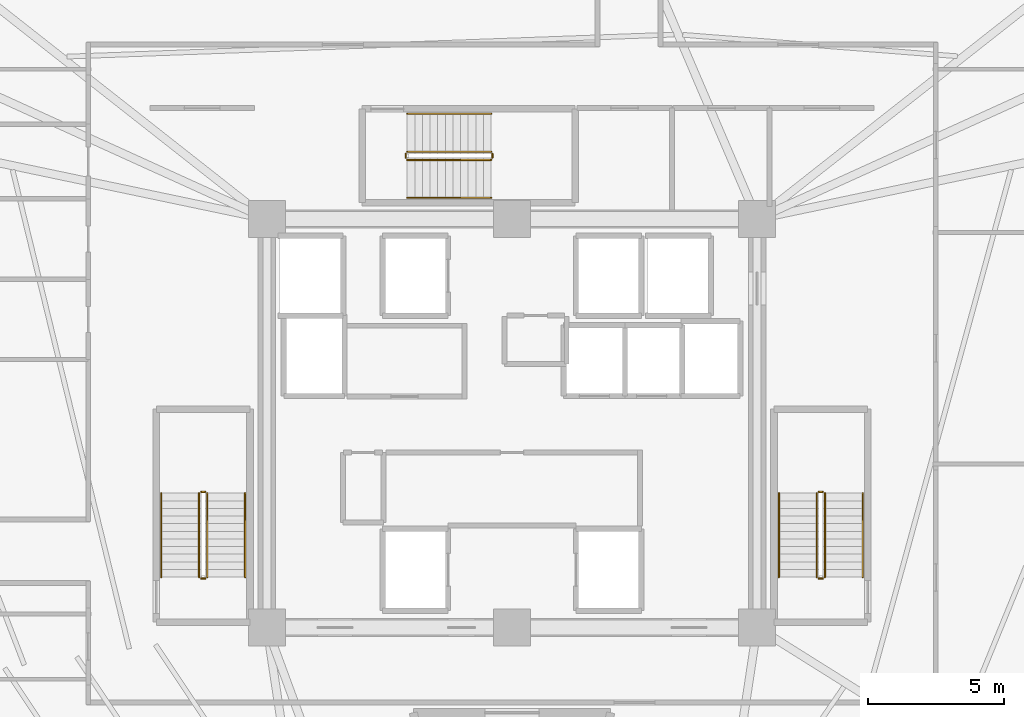
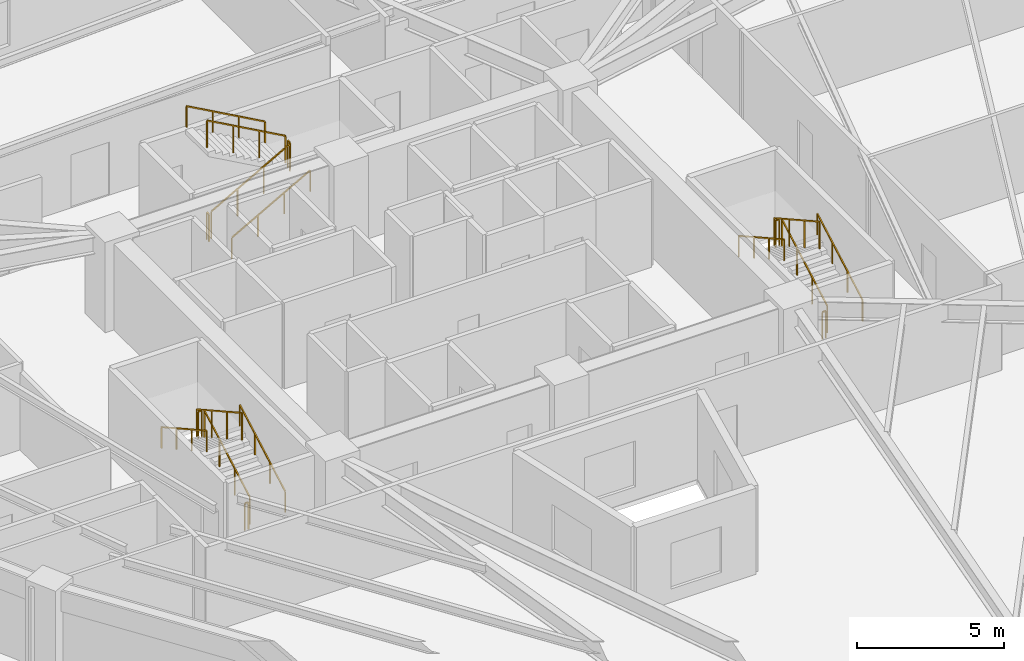
# One storey, part 8 of 8: 18 railings.
"""IFC4 building model written with IfcOpenShell, lengths in metres."""

from ifc_helpers import new_model, si_unit, direction, frame, origin, origin_2d, place, context, subcontext, project, spatial, rectangle, extrude, material, type_object, element, save


model = new_model("IFC4")

# Units and contexts
model_context = context("Model", 3, precision=1e-05, world=origin(), true_north=direction((0.0, 1.0)))
body_context = subcontext(model_context, "Body", "Model", "MODEL_VIEW")
ifc_project = project(units=[si_unit("LENGTHUNIT", "METRE"), si_unit("AREAUNIT", "SQUARE_METRE"), si_unit("VOLUMEUNIT", "CUBIC_METRE"), si_unit("PLANEANGLEUNIT", "RADIAN"), si_unit("MASSUNIT", "GRAM", prefix="KILO")], contexts=[model_context])

# Site, building, storey
site_placement = place(None, origin())
site = spatial("IfcSite", under=ifc_project, at=site_placement, CompositionType="ELEMENT")
building_placement = place(site_placement, origin())
building = spatial("IfcBuilding", under=site, at=building_placement, Name="Liaohun Quay Tower", CompositionType="ELEMENT")
storey_placement = place(building_placement, frame((0.0, 0.0, 266.25)))
storey = spatial("IfcBuildingStorey", under=building, at=storey_placement, Name="L69", CompositionType="ELEMENT", Elevation=266.25)

# Railings
ifc_material_1 = material(Name="Painted tubular steel", Category="steel")
railing_type_1 = type_object("IfcRailingType", Name="RLG-GUARD-STR", PredefinedType="GUARDRAIL", material=ifc_material_1)
railing_1_placement = place(storey_placement, frame((48.81005859375, 48.35009765625, 0.15625)))
element("IfcRailing", 1, at=railing_1_placement, inside=storey, type_object=railing_type_1, Name="L69 ST-1 stair guard 1", PredefinedType="GUARDRAIL", context=body_context, shape_type="SweptSolid", body=[
    extrude(rectangle(XDim=0.048095703125, YDim=0.048095703125, at=origin_2d()), frame((0.0, 0.0, 1.1259765625), z_axis=(0.0, 0.873225103656, 0.487317061414), x_axis=(-1.0, 0.0, 0.0)), (0.0, 0.0, 1.0), 3.52685546875),
    extrude(rectangle(XDim=0.0419921875, YDim=0.0419921875, at=origin_2d()), origin(), (0.0, 0.0, 1.0), 1.101806640625),
    extrude(rectangle(XDim=0.0419921875, YDim=0.0419921875, at=origin_2d()), frame((0.0, 1.026611328125, 0.572998046875)), (0.0, 0.0, 1.0), 1.101806640625),
    extrude(rectangle(XDim=0.0419921875, YDim=0.0419921875, at=origin_2d()), frame((0.0, 2.05322265625, 1.145751953125)), (0.0, 0.0, 1.0), 1.101806640625),
    extrude(rectangle(XDim=0.0419921875, YDim=0.0419921875, at=origin_2d()), frame((0.0, 3.079833984375, 1.71875)), (0.0, 0.0, 1.0), 1.101806640625),
])
railing_2_placement = place(storey_placement, frame((48.72998046875, 51.47998046875, 1.875)))
element("IfcRailing", 2, at=railing_2_placement, inside=storey, type_object=railing_type_1, Name="L69 ST-1 stair guard 2", PredefinedType="GUARDRAIL", context=body_context, shape_type="SweptSolid", body=[
    extrude(rectangle(XDim=0.048095703125, YDim=0.048095703125, at=origin_2d()), frame((0.0, 0.0, 1.1259765625), z_axis=(-1.0, 0.0, 0.0), x_axis=(0.0, -1.0, 0.0)), (0.0, 0.0, 1.0), 0.139892578125),
    extrude(rectangle(XDim=0.0419921875, YDim=0.0419921875, at=origin_2d()), origin(), (0.0, 0.0, 1.0), 1.101806640625),
    extrude(rectangle(XDim=0.0419921875, YDim=0.0419921875, at=origin_2d()), frame((-0.139892578125, 0.0, 0.0)), (0.0, 0.0, 1.0), 1.101806640625),
])
railing_3_placement = place(storey_placement, frame((48.510009765625, 51.429931640625, 2.03125)))
element("IfcRailing", 3, at=railing_3_placement, inside=storey, type_object=railing_type_1, Name="L69 ST-1 stair guard 3", PredefinedType="GUARDRAIL", context=body_context, shape_type="SweptSolid", body=[
    extrude(rectangle(XDim=0.048095703125, YDim=0.048095703125, at=origin_2d()), frame((0.0, 0.0, 1.1259765625), z_axis=(0.0, -0.873225103656, 0.487317061414), x_axis=(1.0, 0.0, 0.0)), (0.0, 0.0, 1.0), 3.52685546875),
    extrude(rectangle(XDim=0.0419921875, YDim=0.0419921875, at=origin_2d()), origin(), (0.0, 0.0, 1.0), 1.101806640625),
    extrude(rectangle(XDim=0.0419921875, YDim=0.0419921875, at=origin_2d()), frame((0.0, -1.026611328125, 0.572998046875)), (0.0, 0.0, 1.0), 1.101806640625),
    extrude(rectangle(XDim=0.0419921875, YDim=0.0419921875, at=origin_2d()), frame((0.0, -2.05322265625, 1.145751953125)), (0.0, 0.0, 1.0), 1.101806640625),
    extrude(rectangle(XDim=0.0419921875, YDim=0.0419921875, at=origin_2d()), frame((0.0, -3.079833984375, 1.71875)), (0.0, 0.0, 1.0), 1.101806640625),
])
railing_4_placement = place(storey_placement, frame((48.72998046875, 48.300048828125, 0.0)))
element("IfcRailing", 4, at=railing_4_placement, inside=storey, type_object=railing_type_1, Name="L69 ST-1 stair guard 4", PredefinedType="GUARDRAIL", context=body_context, shape_type="SweptSolid", body=[
    extrude(rectangle(XDim=0.048095703125, YDim=0.048095703125, at=origin_2d()), frame((0.0, 0.0, 1.1259765625), z_axis=(-1.0, 0.0, 0.0), x_axis=(0.0, -1.0, 0.0)), (0.0, 0.0, 1.0), 0.139892578125),
    extrude(rectangle(XDim=0.0419921875, YDim=0.0419921875, at=origin_2d()), origin(), (0.0, 0.0, 1.0), 1.101806640625),
    extrude(rectangle(XDim=0.0419921875, YDim=0.0419921875, at=origin_2d()), frame((-0.139892578125, 0.0, 0.0)), (0.0, 0.0, 1.0), 1.101806640625),
])
railing_5_placement = place(storey_placement, frame((71.489990234375, 48.35009765625, 0.15625)))
element("IfcRailing", 5, at=railing_5_placement, inside=storey, type_object=railing_type_1, Name="L69 ST-2 stair guard 1", PredefinedType="GUARDRAIL", context=body_context, shape_type="SweptSolid", body=[
    extrude(rectangle(XDim=0.048095703125, YDim=0.048095703125, at=origin_2d()), frame((0.0, 0.0, 1.1259765625), z_axis=(0.0, 0.873225103656, 0.487317061414), x_axis=(-1.0, 0.0, 0.0)), (0.0, 0.0, 1.0), 3.52685546875),
    extrude(rectangle(XDim=0.0419921875, YDim=0.0419921875, at=origin_2d()), origin(), (0.0, 0.0, 1.0), 1.101806640625),
    extrude(rectangle(XDim=0.0419921875, YDim=0.0419921875, at=origin_2d()), frame((0.0, 1.026611328125, 0.572998046875)), (0.0, 0.0, 1.0), 1.101806640625),
    extrude(rectangle(XDim=0.0419921875, YDim=0.0419921875, at=origin_2d()), frame((0.0, 2.05322265625, 1.145751953125)), (0.0, 0.0, 1.0), 1.101806640625),
    extrude(rectangle(XDim=0.0419921875, YDim=0.0419921875, at=origin_2d()), frame((0.0, 3.079833984375, 1.71875)), (0.0, 0.0, 1.0), 1.101806640625),
])
railing_6_placement = place(storey_placement, frame((71.409912109375, 51.47998046875, 1.875)))
element("IfcRailing", 6, at=railing_6_placement, inside=storey, type_object=railing_type_1, Name="L69 ST-2 stair guard 2", PredefinedType="GUARDRAIL", context=body_context, shape_type="SweptSolid", body=[
    extrude(rectangle(XDim=0.048095703125, YDim=0.048095703125, at=origin_2d()), frame((0.0, 0.0, 1.1259765625), z_axis=(-1.0, 0.0, 0.0), x_axis=(0.0, -1.0, 0.0)), (0.0, 0.0, 1.0), 0.139892578125),
    extrude(rectangle(XDim=0.0419921875, YDim=0.0419921875, at=origin_2d()), origin(), (0.0, 0.0, 1.0), 1.101806640625),
    extrude(rectangle(XDim=0.0419921875, YDim=0.0419921875, at=origin_2d()), frame((-0.139892578125, 0.0, 0.0)), (0.0, 0.0, 1.0), 1.101806640625),
])
railing_7_placement = place(storey_placement, frame((71.18994140625, 51.429931640625, 2.03125)))
element("IfcRailing", 7, at=railing_7_placement, inside=storey, type_object=railing_type_1, Name="L69 ST-2 stair guard 3", PredefinedType="GUARDRAIL", context=body_context, shape_type="SweptSolid", body=[
    extrude(rectangle(XDim=0.048095703125, YDim=0.048095703125, at=origin_2d()), frame((0.0, 0.0, 1.1259765625), z_axis=(0.0, -0.873225103656, 0.487317061414), x_axis=(1.0, 0.0, 0.0)), (0.0, 0.0, 1.0), 3.52685546875),
    extrude(rectangle(XDim=0.0419921875, YDim=0.0419921875, at=origin_2d()), origin(), (0.0, 0.0, 1.0), 1.101806640625),
    extrude(rectangle(XDim=0.0419921875, YDim=0.0419921875, at=origin_2d()), frame((0.0, -1.026611328125, 0.572998046875)), (0.0, 0.0, 1.0), 1.101806640625),
    extrude(rectangle(XDim=0.0419921875, YDim=0.0419921875, at=origin_2d()), frame((0.0, -2.05322265625, 1.145751953125)), (0.0, 0.0, 1.0), 1.101806640625),
    extrude(rectangle(XDim=0.0419921875, YDim=0.0419921875, at=origin_2d()), frame((0.0, -3.079833984375, 1.71875)), (0.0, 0.0, 1.0), 1.101806640625),
])
railing_8_placement = place(storey_placement, frame((71.409912109375, 48.300048828125, 0.0)))
element("IfcRailing", 8, at=railing_8_placement, inside=storey, type_object=railing_type_1, Name="L69 ST-2 stair guard 4", PredefinedType="GUARDRAIL", context=body_context, shape_type="SweptSolid", body=[
    extrude(rectangle(XDim=0.048095703125, YDim=0.048095703125, at=origin_2d()), frame((0.0, 0.0, 1.1259765625), z_axis=(-1.0, 0.0, 0.0), x_axis=(0.0, -1.0, 0.0)), (0.0, 0.0, 1.0), 0.139892578125),
    extrude(rectangle(XDim=0.0419921875, YDim=0.0419921875, at=origin_2d()), origin(), (0.0, 0.0, 1.0), 1.101806640625),
    extrude(rectangle(XDim=0.0419921875, YDim=0.0419921875, at=origin_2d()), frame((-0.139892578125, 0.0, 0.0)), (0.0, 0.0, 1.0), 1.101806640625),
])
railing_9_placement = place(storey_placement, frame((56.14990234375, 63.669921875, 0.15625)))
element("IfcRailing", 9, at=railing_9_placement, inside=storey, type_object=railing_type_1, Name="L69 ST-3 stair guard 1", PredefinedType="GUARDRAIL", context=body_context, shape_type="SweptSolid", body=[
    extrude(rectangle(XDim=0.048095703125, YDim=0.048095703125, at=origin_2d()), frame((0.0, 0.0, 1.1259765625), z_axis=(0.873241540666, 0.0, 0.487287606713), x_axis=(0.0, 1.0, 0.0)), (0.0, 0.0, 1.0), 3.527099609375),
    extrude(rectangle(XDim=0.0419921875, YDim=0.0419921875, at=origin_2d()), origin(), (0.0, 0.0, 1.0), 1.101806640625),
    extrude(rectangle(XDim=0.0419921875, YDim=0.0419921875, at=origin_2d()), frame((1.026611328125, 0.0, 0.572998046875)), (0.0, 0.0, 1.0), 1.101806640625),
    extrude(rectangle(XDim=0.0419921875, YDim=0.0419921875, at=origin_2d()), frame((2.053466796875, 0.0, 1.145751953125)), (0.0, 0.0, 1.0), 1.101806640625),
    extrude(rectangle(XDim=0.0419921875, YDim=0.0419921875, at=origin_2d()), frame((3.080078125, 0.0, 1.71875)), (0.0, 0.0, 1.0), 1.101806640625),
])
railing_10_placement = place(storey_placement, frame((59.280029296875, 63.75, 1.875)))
element("IfcRailing", 10, at=railing_10_placement, inside=storey, type_object=railing_type_1, Name="L69 ST-3 stair guard 2", PredefinedType="GUARDRAIL", context=body_context, shape_type="SweptSolid", body=[
    extrude(rectangle(XDim=0.048095703125, YDim=0.048095703125, at=origin_2d()), frame((0.0, 0.0, 1.1259765625), z_axis=(0.0, 1.0, 0.0), x_axis=(-1.0, 0.0, 0.0)), (0.0, 0.0, 1.0), 0.139892578125),
    extrude(rectangle(XDim=0.0419921875, YDim=0.0419921875, at=origin_2d()), origin(), (0.0, 0.0, 1.0), 1.101806640625),
    extrude(rectangle(XDim=0.0419921875, YDim=0.0419921875, at=origin_2d()), frame((0.0, 0.139892578125, 0.0)), (0.0, 0.0, 1.0), 1.101806640625),
])
railing_11_placement = place(storey_placement, frame((59.22998046875, 63.969970703125, 2.03125)))
element("IfcRailing", 11, at=railing_11_placement, inside=storey, type_object=railing_type_1, Name="L69 ST-3 stair guard 3", PredefinedType="GUARDRAIL", context=body_context, shape_type="SweptSolid", body=[
    extrude(rectangle(XDim=0.048095703125, YDim=0.048095703125, at=origin_2d()), frame((0.0, 0.0, 1.1259765625), z_axis=(-0.873241540666, 0.0, 0.487287606713), x_axis=(0.0, -1.0, 0.0)), (0.0, 0.0, 1.0), 3.527099609375),
    extrude(rectangle(XDim=0.0419921875, YDim=0.0419921875, at=origin_2d()), origin(), (0.0, 0.0, 1.0), 1.101806640625),
    extrude(rectangle(XDim=0.0419921875, YDim=0.0419921875, at=origin_2d()), frame((-1.026611328125, 0.0, 0.572998046875)), (0.0, 0.0, 1.0), 1.101806640625),
    extrude(rectangle(XDim=0.0419921875, YDim=0.0419921875, at=origin_2d()), frame((-2.053466796875, 0.0, 1.145751953125)), (0.0, 0.0, 1.0), 1.101806640625),
    extrude(rectangle(XDim=0.0419921875, YDim=0.0419921875, at=origin_2d()), frame((-3.080078125, 0.0, 1.71875)), (0.0, 0.0, 1.0), 1.101806640625),
])
railing_12_placement = place(storey_placement, frame((56.10009765625, 63.75, 0.0)))
element("IfcRailing", 12, at=railing_12_placement, inside=storey, type_object=railing_type_1, Name="L69 ST-3 stair guard 4", PredefinedType="GUARDRAIL", context=body_context, shape_type="SweptSolid", body=[
    extrude(rectangle(XDim=0.048095703125, YDim=0.048095703125, at=origin_2d()), frame((0.0, 0.0, 1.1259765625), z_axis=(0.0, 1.0, 0.0), x_axis=(-1.0, 0.0, 0.0)), (0.0, 0.0, 1.0), 0.139892578125),
    extrude(rectangle(XDim=0.0419921875, YDim=0.0419921875, at=origin_2d()), origin(), (0.0, 0.0, 1.0), 1.101806640625),
    extrude(rectangle(XDim=0.0419921875, YDim=0.0419921875, at=origin_2d()), frame((0.0, 0.139892578125, 0.0)), (0.0, 0.0, 1.0), 1.101806640625),
])
ifc_material_2 = material(Name="Brushed stainless steel", Category="steel")
railing_type_2 = type_object("IfcRailingType", Name="RLG-HND-STR", PredefinedType="HANDRAIL", material=ifc_material_2)
railing_13_placement = place(storey_placement, frame((50.199951171875, 48.35009765625, 0.15625)))
element("IfcRailing", 13, at=railing_13_placement, inside=storey, type_object=railing_type_2, Name="L69 ST-1 stair handrail 1", PredefinedType="HANDRAIL", context=body_context, shape_type="SweptSolid", body=[
    extrude(rectangle(XDim=0.048095703125, YDim=0.048095703125, at=origin_2d()), frame((0.0, 0.0, 0.8759765625), z_axis=(0.0, 0.873225103656, 0.487317061414), x_axis=(-1.0, 0.0, 0.0)), (0.0, 0.0, 1.0), 3.52685546875),
    extrude(rectangle(XDim=0.0419921875, YDim=0.0419921875, at=origin_2d()), origin(), (0.0, 0.0, 1.0), 0.851806640625),
    extrude(rectangle(XDim=0.0419921875, YDim=0.0419921875, at=origin_2d()), frame((0.0, 1.026611328125, 0.572998046875)), (0.0, 0.0, 1.0), 0.851806640625),
    extrude(rectangle(XDim=0.0419921875, YDim=0.0419921875, at=origin_2d()), frame((0.0, 2.05322265625, 1.145751953125)), (0.0, 0.0, 1.0), 0.851806640625),
    extrude(rectangle(XDim=0.0419921875, YDim=0.0419921875, at=origin_2d()), frame((0.0, 3.079833984375, 1.71875)), (0.0, 0.0, 1.0), 0.851806640625),
])
railing_14_placement = place(storey_placement, frame((47.1201171875, 51.429931640625, 2.03125)))
element("IfcRailing", 14, at=railing_14_placement, inside=storey, type_object=railing_type_2, Name="L69 ST-1 stair handrail 2", PredefinedType="HANDRAIL", context=body_context, shape_type="SweptSolid", body=[
    extrude(rectangle(XDim=0.048095703125, YDim=0.048095703125, at=origin_2d()), frame((0.0, 0.0, 0.8759765625), z_axis=(0.0, -0.873225103656, 0.487317061414), x_axis=(1.0, 0.0, 0.0)), (0.0, 0.0, 1.0), 3.52685546875),
    extrude(rectangle(XDim=0.0419921875, YDim=0.0419921875, at=origin_2d()), origin(), (0.0, 0.0, 1.0), 0.851806640625),
    extrude(rectangle(XDim=0.0419921875, YDim=0.0419921875, at=origin_2d()), frame((0.0, -1.026611328125, 0.572998046875)), (0.0, 0.0, 1.0), 0.851806640625),
    extrude(rectangle(XDim=0.0419921875, YDim=0.0419921875, at=origin_2d()), frame((0.0, -2.05322265625, 1.145751953125)), (0.0, 0.0, 1.0), 0.851806640625),
    extrude(rectangle(XDim=0.0419921875, YDim=0.0419921875, at=origin_2d()), frame((0.0, -3.079833984375, 1.71875)), (0.0, 0.0, 1.0), 0.851806640625),
])
railing_15_placement = place(storey_placement, frame((72.8798828125, 48.35009765625, 0.15625)))
element("IfcRailing", 15, at=railing_15_placement, inside=storey, type_object=railing_type_2, Name="L69 ST-2 stair handrail 1", PredefinedType="HANDRAIL", context=body_context, shape_type="SweptSolid", body=[
    extrude(rectangle(XDim=0.048095703125, YDim=0.048095703125, at=origin_2d()), frame((0.0, 0.0, 0.8759765625), z_axis=(0.0, 0.873225103656, 0.487317061414), x_axis=(-1.0, 0.0, 0.0)), (0.0, 0.0, 1.0), 3.52685546875),
    extrude(rectangle(XDim=0.0419921875, YDim=0.0419921875, at=origin_2d()), origin(), (0.0, 0.0, 1.0), 0.851806640625),
    extrude(rectangle(XDim=0.0419921875, YDim=0.0419921875, at=origin_2d()), frame((0.0, 1.026611328125, 0.572998046875)), (0.0, 0.0, 1.0), 0.851806640625),
    extrude(rectangle(XDim=0.0419921875, YDim=0.0419921875, at=origin_2d()), frame((0.0, 2.05322265625, 1.145751953125)), (0.0, 0.0, 1.0), 0.851806640625),
    extrude(rectangle(XDim=0.0419921875, YDim=0.0419921875, at=origin_2d()), frame((0.0, 3.079833984375, 1.71875)), (0.0, 0.0, 1.0), 0.851806640625),
])
railing_16_placement = place(storey_placement, frame((69.800048828125, 51.429931640625, 2.03125)))
element("IfcRailing", 16, at=railing_16_placement, inside=storey, type_object=railing_type_2, Name="L69 ST-2 stair handrail 2", PredefinedType="HANDRAIL", context=body_context, shape_type="SweptSolid", body=[
    extrude(rectangle(XDim=0.048095703125, YDim=0.048095703125, at=origin_2d()), frame((0.0, 0.0, 0.8759765625), z_axis=(0.0, -0.873225103656, 0.487317061414), x_axis=(1.0, 0.0, 0.0)), (0.0, 0.0, 1.0), 3.52685546875),
    extrude(rectangle(XDim=0.0419921875, YDim=0.0419921875, at=origin_2d()), origin(), (0.0, 0.0, 1.0), 0.851806640625),
    extrude(rectangle(XDim=0.0419921875, YDim=0.0419921875, at=origin_2d()), frame((0.0, -1.026611328125, 0.572998046875)), (0.0, 0.0, 1.0), 0.851806640625),
    extrude(rectangle(XDim=0.0419921875, YDim=0.0419921875, at=origin_2d()), frame((0.0, -2.05322265625, 1.145751953125)), (0.0, 0.0, 1.0), 0.851806640625),
    extrude(rectangle(XDim=0.0419921875, YDim=0.0419921875, at=origin_2d()), frame((0.0, -3.079833984375, 1.71875)), (0.0, 0.0, 1.0), 0.851806640625),
])
railing_17_placement = place(storey_placement, frame((56.14990234375, 62.280029296875, 0.15625)))
element("IfcRailing", 17, at=railing_17_placement, inside=storey, type_object=railing_type_2, Name="L69 ST-3 stair handrail 1", PredefinedType="HANDRAIL", context=body_context, shape_type="SweptSolid", body=[
    extrude(rectangle(XDim=0.048095703125, YDim=0.048095703125, at=origin_2d()), frame((0.0, 0.0, 0.8759765625), z_axis=(0.873241540666, 0.0, 0.487287606713), x_axis=(0.0, 1.0, 0.0)), (0.0, 0.0, 1.0), 3.527099609375),
    extrude(rectangle(XDim=0.0419921875, YDim=0.0419921875, at=origin_2d()), origin(), (0.0, 0.0, 1.0), 0.851806640625),
    extrude(rectangle(XDim=0.0419921875, YDim=0.0419921875, at=origin_2d()), frame((1.026611328125, 0.0, 0.572998046875)), (0.0, 0.0, 1.0), 0.851806640625),
    extrude(rectangle(XDim=0.0419921875, YDim=0.0419921875, at=origin_2d()), frame((2.053466796875, 0.0, 1.145751953125)), (0.0, 0.0, 1.0), 0.851806640625),
    extrude(rectangle(XDim=0.0419921875, YDim=0.0419921875, at=origin_2d()), frame((3.080078125, 0.0, 1.71875)), (0.0, 0.0, 1.0), 0.851806640625),
])
railing_18_placement = place(storey_placement, frame((59.22998046875, 65.360107421875, 2.03125)))
element("IfcRailing", 18, at=railing_18_placement, inside=storey, type_object=railing_type_2, Name="L69 ST-3 stair handrail 2", PredefinedType="HANDRAIL", context=body_context, shape_type="SweptSolid", body=[
    extrude(rectangle(XDim=0.048095703125, YDim=0.048095703125, at=origin_2d()), frame((0.0, 0.0, 0.8759765625), z_axis=(-0.873241540666, 0.0, 0.487287606713), x_axis=(0.0, -1.0, 0.0)), (0.0, 0.0, 1.0), 3.527099609375),
    extrude(rectangle(XDim=0.0419921875, YDim=0.0419921875, at=origin_2d()), origin(), (0.0, 0.0, 1.0), 0.851806640625),
    extrude(rectangle(XDim=0.0419921875, YDim=0.0419921875, at=origin_2d()), frame((-1.026611328125, 0.0, 0.572998046875)), (0.0, 0.0, 1.0), 0.851806640625),
    extrude(rectangle(XDim=0.0419921875, YDim=0.0419921875, at=origin_2d()), frame((-2.053466796875, 0.0, 1.145751953125)), (0.0, 0.0, 1.0), 0.851806640625),
    extrude(rectangle(XDim=0.0419921875, YDim=0.0419921875, at=origin_2d()), frame((-3.080078125, 0.0, 1.71875)), (0.0, 0.0, 1.0), 0.851806640625),
])

save(model, "model.ifc")
